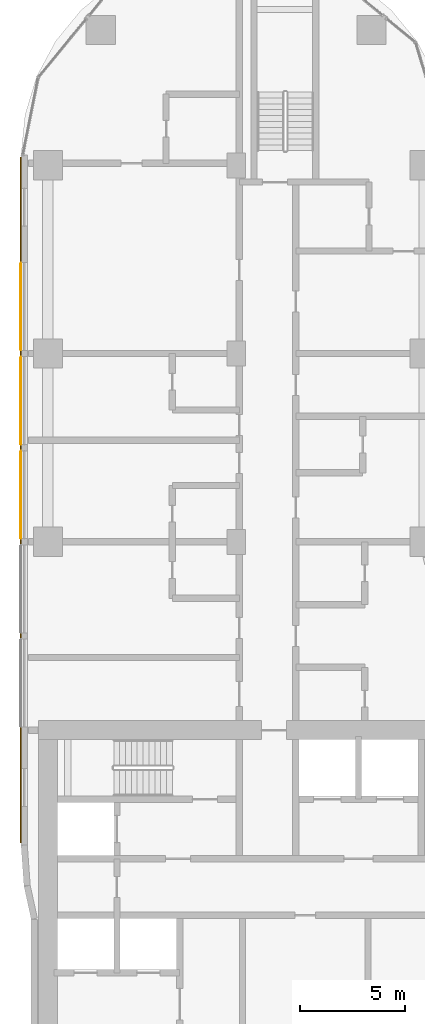
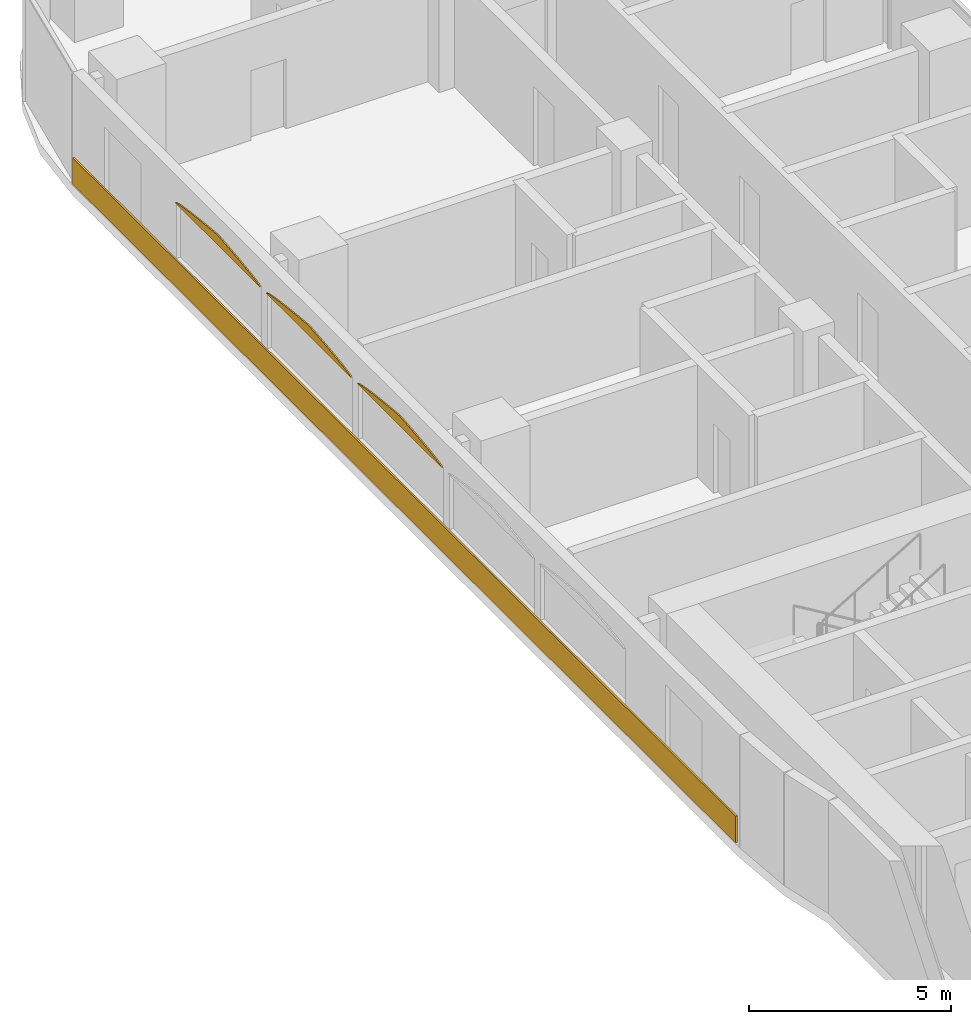
# One storey, part 34 of 36: 4 coverings.
"""IFC4 building model written with IfcOpenShell, lengths in metres."""

from ifc_helpers import new_model, si_unit, direction, frame, origin, origin_2d, place, context, subcontext, project, spatial, polyline, rectangle, outline, extrude, material, layer, layer_set, type_object, element, save


model = new_model("IFC4")

# Units and contexts
model_context = context("Model", 3, precision=1e-05, world=origin(), true_north=direction((0.0, 1.0)))
body_context = subcontext(model_context, "Body", "Model", "MODEL_VIEW")
ifc_project = project(units=[si_unit("LENGTHUNIT", "METRE"), si_unit("AREAUNIT", "SQUARE_METRE"), si_unit("VOLUMEUNIT", "CUBIC_METRE"), si_unit("PLANEANGLEUNIT", "RADIAN"), si_unit("MASSUNIT", "GRAM", prefix="KILO")], contexts=[model_context])

# Site, building, storey
site_placement = place(None, origin())
site = spatial("IfcSite", under=ifc_project, at=site_placement, CompositionType="ELEMENT")
building_placement = place(site_placement, origin())
building = spatial("IfcBuilding", under=site, at=building_placement, Name="Ogive Portal Towers", CompositionType="ELEMENT")
storey_placement = place(building_placement, frame((0.0, 0.0, 48.300048828125)))
storey = spatial("IfcBuildingStorey", under=building, at=storey_placement, Name="L10", CompositionType="ELEMENT", Elevation=48.300048828125)

# Coverings
ifc_material = material(Name="Limestone cladding on lightweight block wall", Category="masonry")
ifc_layer_1 = layer(ifc_material, 0.0400390625)
ifc_layer_set_1 = layer_set([ifc_layer_1], Name="LANCET HEAD STONE")
covering_type_1 = type_object("IfcCoveringType", Name="LANCET HEAD STONE", PredefinedType="CLADDING", material=ifc_layer_set_1)
for number, where, z_axis, x_axis, name in (
    (1, (30.215087890625, 61.85009765625, 2.599853515625), (0.999943573838, 0.0, 0.010623047596), (0.0, -1.0, 0.0), "Lancet head"),
    (2, (30.215087890625, 57.35009765625, 2.599853515625), (0.999943573838, 0.0, 0.010623047596), (0.0, -1.0, 0.0), "Lancet head"),
    (3, (30.215087890625, 52.85009765625, 2.599853515625), (0.999943573838, 0.0, 0.010623047596), (0.0, -1.0, 0.0), "Lancet head"),
):
    element("IfcCovering", number, at=place(storey_placement, frame(where, z_axis=z_axis, x_axis=x_axis)), inside=storey, type_object=covering_type_1, Name=name, PredefinedType="CLADDING", context=body_context, shape_type="SweptSolid", body=[
        extrude(outline(polyline([(0.0, 0.0), (4.2001953125, 0.0), (4.107177734375, -0.03760072179351402), (3.9375, -0.07519885006954846), (3.7177734375, -0.11255544501398096), (3.45751953125, -0.150156166807495), (3.162353515625, -0.1875101682344479), (2.836181640625, -0.22511089002796192), (2.481201171875, -0.2627090183039964), (2.10009765625, -0.3000656132484289), (1.718994140625, -0.2627090183039964), (1.364013671875, -0.22511089002796192), (1.037841796875, -0.1875101682344479), (0.74267578125, -0.150156166807495), (0.482421875, -0.11255544501398096), (0.2626953125, -0.07519885006954846), (0.093017578125, -0.03760072179351402), (0.0, 0.0)])), origin(), (0.0, 0.0, -1.0), 0.0400390625),
    ])
ifc_layer_2 = layer(ifc_material, 0.050048828125)
ifc_layer_set_2 = layer_set([ifc_layer_2], Name="SCREEN PERFORATED STONE")
covering_type_2 = type_object("IfcCoveringType", Name="SCREEN PERFORATED STONE", PredefinedType="CLADDING", material=ifc_layer_set_2)
covering_placement = place(storey_placement, frame((30.18994140625, 50.50146484375, 0.10009765625), z_axis=(0.0, 0.0, 1.0), x_axis=(0.0, -1.0, 0.0)))
element("IfcCovering", 4, at=covering_placement, inside=storey, type_object=covering_type_2, Name="Tracery screen", PredefinedType="CLADDING", context=body_context, shape_type="SweptSolid", body=[
    extrude(rectangle(XDim=32.781494140625, YDim=0.050048828125, at=origin_2d()), origin(), (0.0, 0.0, 1.0), 0.800048828125),
])

save(model, "model.ifc")
